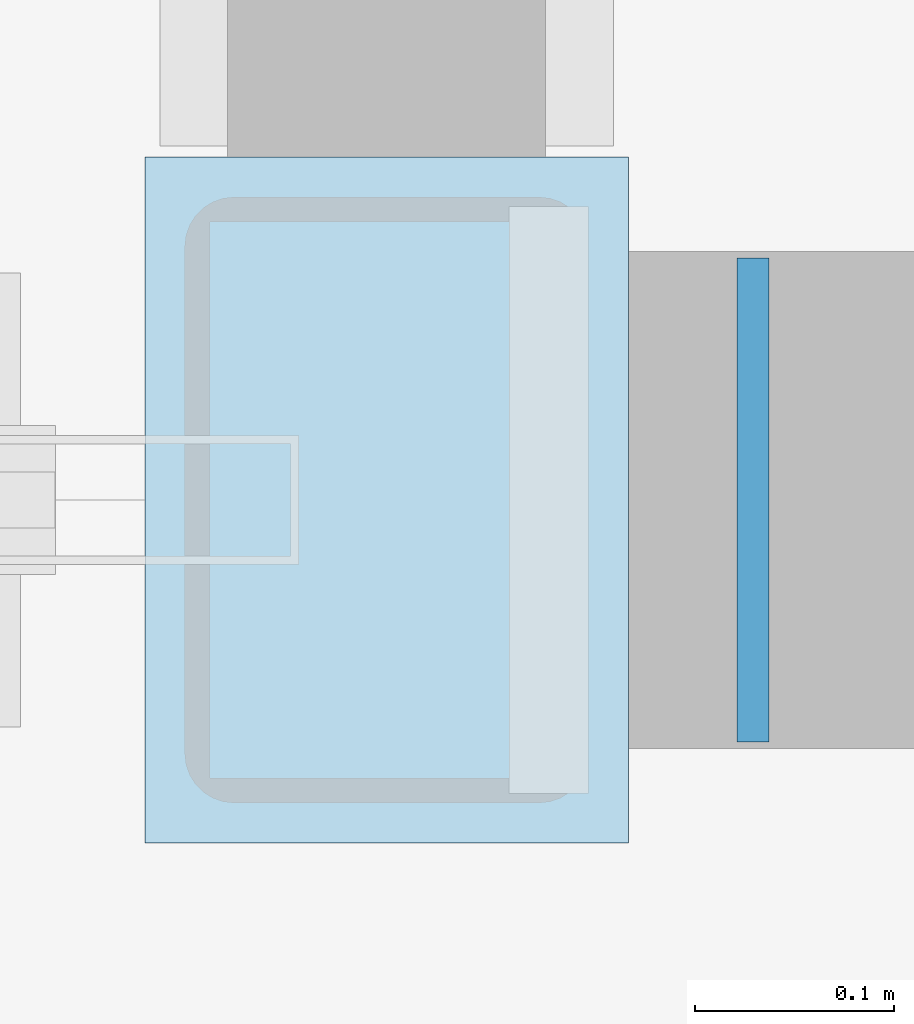
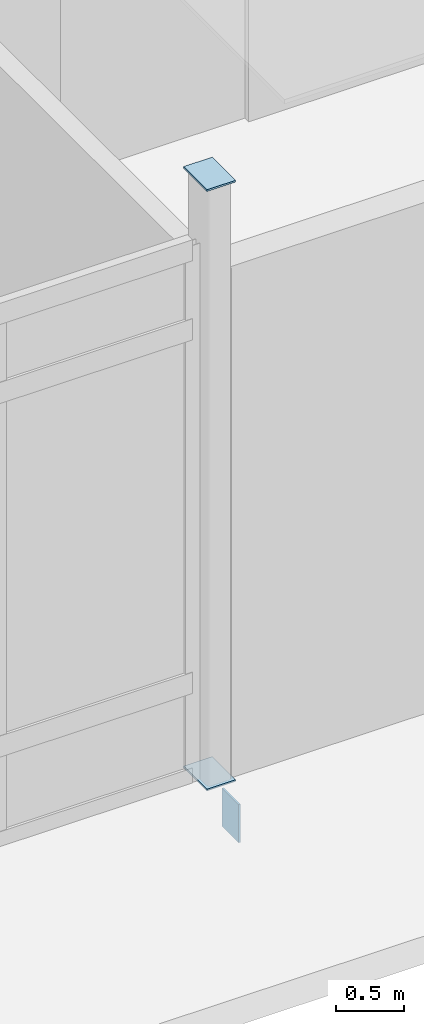
# One storey, part 180 of 229: 3 plates.
"""IFC4 building model written with IfcOpenShell, lengths in metres."""

import ifcopenshell
import ifcopenshell.guid

model = None  # the IFC model being written
_history = None  # IfcOwnerHistory: only IFC2X3 demands one
_inside = {}  # id of a spatial element -> (the spatial element, [elements in it])
_under = {}  # id of a project, library or spatial element -> (it, [spatial elements below it])
_declared = {}  # id of a project -> (the project, [libraries it declares])
_typed = {}  # id of a type object -> (the type object, [elements of that type])
_made_of = {}  # id of a material, layer set ... -> (it, [elements and type objects made of it])


def new_model(schema):
    """Start an empty IFC model of exactly this schema.

    Asked for "IFC4X3", IfcOpenShell would pick the latest addendum, in which some entities
    have other attributes; the version numbers below select the first issue.
    IFC2X3 requires an IfcOwnerHistory on every rooted entity: one is made here for all.
    """
    global model, _history
    if schema == "IFC4X3":
        model = ifcopenshell.file(schema_version=(4, 3, 0, 0))
    else:
        model = ifcopenshell.file(schema=schema)
    _inside.clear()
    _under.clear()
    _declared.clear()
    _typed.clear()
    _made_of.clear()
    _history = None
    if model.schema == "IFC2X3":
        org = make("IfcOrganization", Name="unknown")
        user = make(
            "IfcPersonAndOrganization",
            ThePerson=make("IfcPerson", FamilyName="unknown"),
            TheOrganization=org,
        )
        app = make(
            "IfcApplication",
            ApplicationDeveloper=org,
            Version="unknown",
            ApplicationFullName="unknown",
            ApplicationIdentifier="unknown",
        )
        _history = make(
            "IfcOwnerHistory",
            OwningUser=user,
            OwningApplication=app,
            ChangeAction="ADDED",
            CreationDate=0,
        )
    return model


def make(cls, **values):
    """One entity of the class cls with the attributes given. An attribute that is None is left unset."""
    return model.create_entity(
        cls, **{name: value for name, value in values.items() if value is not None}
    )


def rooted(cls, **values):
    """An entity with a GlobalId (a new one), such as an element, a storey or a relation."""
    return make(cls, GlobalId=ifcopenshell.guid.new(), OwnerHistory=_history, **values)


def si_unit(unit_type, name, prefix=None):
    """IfcSIUnit, for example si_unit("LENGTHUNIT", "METRE", prefix="MILLI")."""
    return make("IfcSIUnit", UnitType=unit_type, Prefix=prefix, Name=name)


def assignment(units):
    """IfcUnitAssignment: the units of a project."""
    return None if units is None else make("IfcUnitAssignment", Units=units)


def point(xyz):
    """IfcCartesianPoint."""
    return None if xyz is None else make("IfcCartesianPoint", Coordinates=xyz)


def direction(xyz):
    """IfcDirection."""
    return None if xyz is None else make("IfcDirection", DirectionRatios=xyz)


def frame(location, z_axis=None, x_axis=None):
    """IfcAxis2Placement3D, a coordinate frame: its origin and axes. An axis left out is left unset."""
    return make(
        "IfcAxis2Placement3D",
        Location=point(location),
        Axis=direction(z_axis),
        RefDirection=direction(x_axis),
    )


def frame_2d(location, x_axis=None):
    """IfcAxis2Placement2D, a coordinate frame in the plane: its origin and x axis."""
    return make(
        "IfcAxis2Placement2D", Location=point(location), RefDirection=direction(x_axis)
    )


def origin():
    """The frame at (0, 0, 0) with its axes left unset."""
    return frame((0.0, 0.0, 0.0))


def origin_2d():
    """The frame at (0, 0) in the plane with its x axis left unset."""
    return frame_2d((0.0, 0.0))


def place(relative_to, where):
    """IfcLocalPlacement: puts the frame where relative to a parent placement (None: the world)."""
    return make(
        "IfcLocalPlacement", PlacementRelTo=relative_to, RelativePlacement=where
    )


def context(
    kind, dimensions, precision=None, world=None, true_north=None, identifier=None
):
    """IfcGeometricRepresentationContext, for example the 3D "Model" context."""
    return make(
        "IfcGeometricRepresentationContext",
        ContextIdentifier=identifier,
        ContextType=kind,
        CoordinateSpaceDimension=dimensions,
        Precision=precision,
        WorldCoordinateSystem=world,
        TrueNorth=true_north,
    )


def subcontext(parent, identifier, kind, view, scale=None):
    """IfcGeometricRepresentationSubContext, for example "Body" below "Model"."""
    return make(
        "IfcGeometricRepresentationSubContext",
        ContextIdentifier=identifier,
        ContextType=kind,
        ParentContext=parent,
        TargetScale=scale,
        TargetView=view,
    )


def project(units=None, contexts=None):
    """IfcProject with its units and contexts."""
    return rooted(
        "IfcProject",
        Name="project",
        RepresentationContexts=contexts,
        UnitsInContext=assignment(units),
    )


def spatial(cls, under=None, at=None, **own):
    """A site, building, storey or space (cls), placed at a placement, below another one or the project."""
    s = rooted(cls, ObjectPlacement=at, **own)
    if under is not None:
        _under.setdefault(under.id(), (under, []))[1].append(s)
    return s


def profile(cls, at=None, kind="AREA", **sizes):
    """A parametric profile (cls). Its sizes go by their IFC names, for example OverallWidth=200.0."""
    return make(cls, ProfileType=kind, Position=at, **sizes)


def rectangle(**sizes):
    """IfcRectangleProfileDef."""
    return profile("IfcRectangleProfileDef", **sizes)


def extrude(swept, where, along, depth):
    """IfcExtrudedAreaSolid: the profile swept, set in the frame where, extruded along a direction by depth."""
    return make(
        "IfcExtrudedAreaSolid",
        SweptArea=swept,
        Position=where,
        ExtrudedDirection=direction(along),
        Depth=depth,
    )


def shape(context_of_items, identifier, shape_type, items):
    """IfcShapeRepresentation: the items that make up one representation, for example the "Body"."""
    return make(
        "IfcShapeRepresentation",
        ContextOfItems=context_of_items,
        RepresentationIdentifier=identifier,
        RepresentationType=shape_type,
        Items=items,
    )


def material(Name=None, Category=None):
    """IfcMaterial."""
    return make("IfcMaterial", Name=Name, Category=Category)


def layer(
    of_material, thickness, ventilated=None, Name=None, Category=None, Priority=None
):
    """IfcMaterialLayer: one layer of a wall or slab, of a material (None: an air gap)."""
    return make(
        "IfcMaterialLayer",
        Material=of_material,
        LayerThickness=thickness,
        IsVentilated=ventilated,
        Name=Name,
        Category=Category,
        Priority=Priority,
    )


def layer_set(layers, Name=None):
    """IfcMaterialLayerSet."""
    return make("IfcMaterialLayerSet", MaterialLayers=layers, LayerSetName=Name)


def made_of(thing, what):
    """Note that an element or type object is made of a material, layer set ...; save() writes the relation."""
    if what is not None:
        _made_of.setdefault(what.id(), (what, []))[1].append(thing)
    return thing


def type_object(cls, material=None, **own):
    """A type object (cls), such as IfcWallType, which elements share."""
    return made_of(rooted(cls, **own), material)


def element(
    cls,
    number,
    at=None,
    inside=None,
    cuts=None,
    type_object=None,
    material=None,
    context=None,
    identifier="Body",
    shape_type=None,
    held_by="IfcProductDefinitionShape",
    body=None,
    shapes=None,
    **own,
):
    """One element of the class cls, such as IfcWall. Its Tag is "e" and its number.

    at: its placement. inside: the storey or other place that contains it. cuts: it is an
    opening in that element (IfcRelVoidsElement). A single representation is given by context,
    identifier, shape_type and body (its items); several are given by shapes. held_by: the class
    of the entity that holds the representations. save() writes the other relations.
    """
    e = rooted(cls, Tag="e%d" % number, ObjectPlacement=at, **own)
    if body is not None:
        shapes = [shape(context, identifier, shape_type, body)]
    if shapes is not None:
        e.Representation = make(held_by, Representations=shapes)
    if inside is not None:
        _inside.setdefault(inside.id(), (inside, []))[1].append(e)
    if cuts is not None:
        rooted(
            "IfcRelVoidsElement", RelatingBuildingElement=cuts, RelatedOpeningElement=e
        )
    if type_object is not None:
        _typed.setdefault(type_object.id(), (type_object, []))[1].append(e)
    return made_of(e, material)


def aggregate(whole, parts):
    """IfcRelAggregates: a whole, such as a stair, and the parts it consists of."""
    return rooted("IfcRelAggregates", RelatingObject=whole, RelatedObjects=parts)


def save(model, path):
    """Write the relations noted so far, then the file.

    IfcRelAggregates (storeys below a building ...), IfcRelContainedInSpatialStructure (elements
    in a storey), IfcRelDefinesByType, IfcRelAssociatesMaterial and IfcRelDeclares: one each for
    every whole, place, type object, material and project.
    """
    for whole, parts in _under.values():
        aggregate(whole, parts)
    for where, things in _inside.values():
        rooted(
            "IfcRelContainedInSpatialStructure",
            RelatedElements=things,
            RelatingStructure=where,
        )
    for kind, things in _typed.values():
        rooted("IfcRelDefinesByType", RelatedObjects=things, RelatingType=kind)
    for what, things in _made_of.values():
        rooted("IfcRelAssociatesMaterial", RelatedObjects=things, RelatingMaterial=what)
    for by, libraries in _declared.values():
        rooted("IfcRelDeclares", RelatingContext=by, RelatedDefinitions=libraries)
    model.write(path)


model = new_model("IFC4")

# Units and contexts
model_context = context("Model", 3, precision=1e-05, world=origin(), true_north=direction((0.0, 1.0)))
body_context = subcontext(model_context, "Body", "Model", "MODEL_VIEW")
ifc_project = project(units=[si_unit("LENGTHUNIT", "METRE"), si_unit("AREAUNIT", "SQUARE_METRE"), si_unit("VOLUMEUNIT", "CUBIC_METRE"), si_unit("PLANEANGLEUNIT", "RADIAN"), si_unit("MASSUNIT", "GRAM", prefix="KILO")], contexts=[model_context])

# Site, building, storey
site_placement = place(None, origin())
site = spatial("IfcSite", under=ifc_project, at=site_placement, CompositionType="ELEMENT")
building_placement = place(site_placement, origin())
building = spatial("IfcBuilding", under=site, at=building_placement, Name="Calvrana Isthmian Art Gallery", CompositionType="ELEMENT")
storey_placement = place(building_placement, origin())
storey = spatial("IfcBuildingStorey", under=building, at=storey_placement, Name="L00", CompositionType="ELEMENT", Elevation=0.0)

# Plates
ifc_material = material(Name="Steel ASTM A572 Gr 50", Category="steel")
ifc_layer = layer(ifc_material, 0.01611328125, Name="Steel ASTM A572 Gr 50")
ifc_layer_set = layer_set([ifc_layer], Name="Steel ASTM A572 Gr 50")
plate_type = type_object("IfcPlateType", Name="PL-CAP-16", PredefinedType="SHEET", material=ifc_layer_set)
for number, where, z_axis, x_axis, name in (
    (1, (156.0, 0.0, -0.008056640625), (0.0, 0.0, 1.0), (1.0, 0.0, 0.0), "Hollow section end cap plate 347"),
    (2, (156.0, 0.0, 5.391845703125), (0.0, 0.0, 1.0), (1.0, 0.0, 0.0), "Hollow section end cap plate 348"),
):
    element("IfcPlate", number, at=place(storey_placement, frame(where, z_axis=z_axis, x_axis=x_axis)), inside=storey, type_object=plate_type, Name=name, PredefinedType="SHEET", context=body_context, shape_type="SweptSolid", body=[
        extrude(rectangle(XDim=0.2431640625, YDim=0.3447265625, at=origin_2d()), origin(), (0.0, 0.0, 1.0), 0.01611328125),
    ])
plate_placement = place(storey_placement, frame((156.18408203125, 0.0, -0.60986328125), z_axis=(0.0, 0.0, 1.0), x_axis=(1.0, 0.0, 0.0)))
element("IfcPlate", 3, at=plate_placement, inside=storey, type_object=plate_type, Name="Hollow section end cap plate 377", PredefinedType="SHEET", context=body_context, shape_type="SweptSolid", body=[
    extrude(rectangle(XDim=0.01611328125, YDim=0.2431640625, at=origin_2d()), origin(), (0.0, 0.0, 1.0), 0.3447265625),
])

save(model, "model.ifc")
